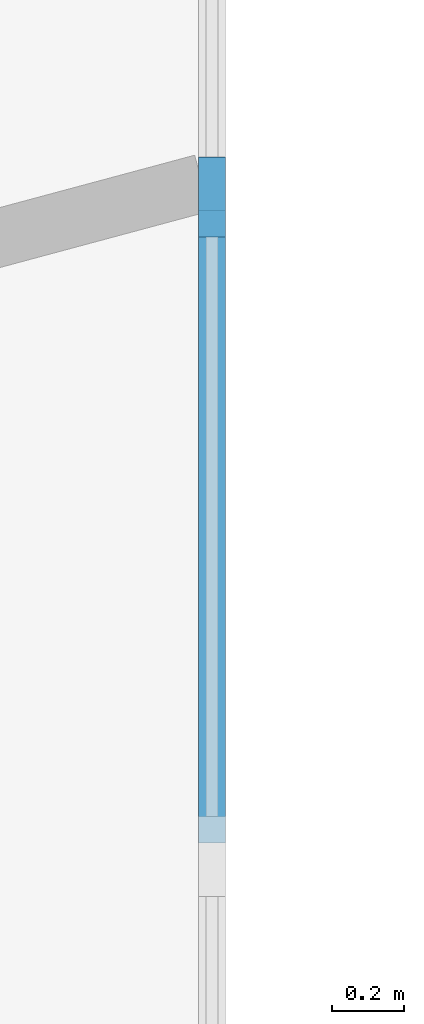
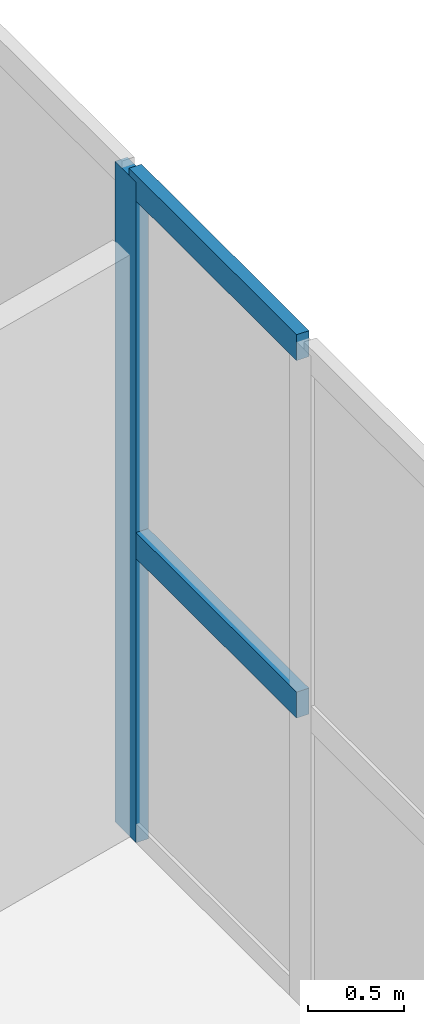
# One storey, part 3 of 26: 3 members, 1 element without a shape of its own.
"""IFC4 building model written with IfcOpenShell, lengths in metres."""

from ifc_helpers import new_model, si_unit, direction, frame, origin, origin_with_axes, origin_2d, place, context, subcontext, project, spatial, rectangle, extrude, source, transform, mapped, material, layer, layer_set, material_profile, profile_set, type_object, element, aggregate, save


model = new_model("IFC4")

# Units and contexts
model_context = context("Model", 3, precision=1e-05, world=origin(), true_north=direction((0.0, 1.0)))
body_context = subcontext(model_context, "Body", "Model", "MODEL_VIEW")
ifc_project = project(units=[si_unit("LENGTHUNIT", "METRE"), si_unit("AREAUNIT", "SQUARE_METRE"), si_unit("VOLUMEUNIT", "CUBIC_METRE"), si_unit("PLANEANGLEUNIT", "RADIAN"), si_unit("MASSUNIT", "GRAM", prefix="KILO")], contexts=[model_context])

# Site, building, storey
site_placement = place(None, origin())
site = spatial("IfcSite", under=ifc_project, at=site_placement, CompositionType="ELEMENT")
building_placement = place(site_placement, origin())
building = spatial("IfcBuilding", under=site, at=building_placement, Name="Karkom Vertical University and Central Library", CompositionType="ELEMENT")
storey_placement = place(building_placement, frame((0.0, 0.0, 9.0)))
storey = spatial("IfcBuildingStorey", under=building, at=storey_placement, Name="L02", CompositionType="ELEMENT", Elevation=9.0)

# Curtain wall, members
ifc_material_1 = material(Name="Aluminium curtain-wall framing and low-E IGU", Category="aluminium")
ifc_layer = layer(ifc_material_1, 0.199951171875)
ifc_layer_set = layer_set([ifc_layer], Name="Aluminium curtain-wall framing and low-E IGU")
curtain_wall_type = type_object("IfcCurtainWallType", Name="ENV-CW-3", PredefinedType="USERDEFINED", material=ifc_layer_set)
curtain_wall_placement = place(storey_placement, origin())
curtain_wall = element("IfcCurtainWall", 1, at=curtain_wall_placement, inside=storey, type_object=curtain_wall_type, Name="Level 02 CW-3 Curtain Wall Level 02-CW3-3-2", ObjectType="STICK MULLION GLAZING", PredefinedType="USERDEFINED")
ifc_material_2 = material(Name="Anodised Aluminium 6063-T6", Category="aluminium")
ifc_material_profile_1 = material_profile(ifc_material_2, rectangle(XDim=0.074951171875, YDim=0.219970703125, at=origin_2d()), Name="ALU-M75x220")
ifc_profile_set_1 = profile_set([ifc_material_profile_1], Name="Anodised Aluminium 6063-T6")
member_type_1 = type_object("IfcMemberType", Name="ENV-MEM-ALU-M75x220", PredefinedType="MULLION", material=ifc_profile_set_1)
shared_shape_1 = source(origin_with_axes(), body_context, "Body", "SweptSolid", [
    extrude(rectangle(XDim=0.074951171875, YDim=0.219970703125, at=origin_2d()), origin(), (0.0, 0.0, 1.0), 4.199951171875),
])
member_1_placement = place(storey_placement, frame((56.0, 33.783447265625, 0.0), z_axis=(0.0, 0.0, 1.0), x_axis=(-1.0, 0.0, 0.0)))
member_1 = element("IfcMember", 2, at=member_1_placement, type_object=member_type_1, Name="CW-3 mullion 5", PredefinedType="MULLION", context=body_context, shape_type="MappedRepresentation", body=[
    mapped(shared_shape_1, transform((0.0, 0.0, 0.0), scale=1.0)),
])
ifc_material_profile_2 = material_profile(ifc_material_2, rectangle(XDim=0.074951171875, YDim=0.1650390625, at=origin_2d()), Name="ALU-T75x165")
ifc_profile_set_2 = profile_set([ifc_material_profile_2], Name="Anodised Aluminium 6063-T6")
member_type_2 = type_object("IfcMemberType", Name="ENV-MEM-ALU-T75x165", PredefinedType="USERDEFINED", material=ifc_profile_set_2)
shared_shape_2 = source(origin_with_axes(), body_context, "Body", "SweptSolid", [
    extrude(rectangle(XDim=0.074951171875, YDim=0.1650390625, at=origin_2d()), origin(), (0.0, 0.0, 1.0), 1.745849609375),
])
member_2_placement = place(storey_placement, frame((56.0, 32.0, 1.889892578125), z_axis=(0.0, 1.0, 0.0), x_axis=(-1.0, 0.0, 0.0)))
member_2 = element("IfcMember", 3, at=member_2_placement, type_object=member_type_2, Name="CW-3 transom 4.2", ObjectType="TRANSOM", PredefinedType="USERDEFINED", context=body_context, shape_type="MappedRepresentation", body=[
    mapped(shared_shape_2, transform((0.0, 0.0, 0.0), scale=1.0)),
])
member_3_placement = place(storey_placement, frame((56.0, 32.0, 4.16259765625), z_axis=(0.0, 1.0, 0.0), x_axis=(-1.0, 0.0, 0.0)))
member_3 = element("IfcMember", 4, at=member_3_placement, type_object=member_type_2, Name="CW-3 transom 4.3", ObjectType="TRANSOM", PredefinedType="USERDEFINED", context=body_context, shape_type="MappedRepresentation", body=[
    mapped(shared_shape_2, transform((0.0, 0.0, 0.0), scale=1.0)),
])
aggregate(curtain_wall, [member_1, member_2, member_3])

save(model, "model.ifc")
